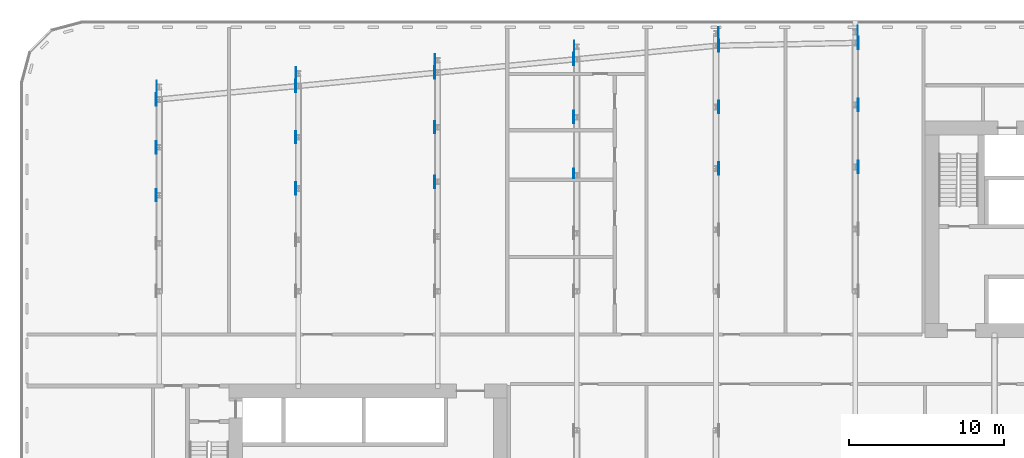
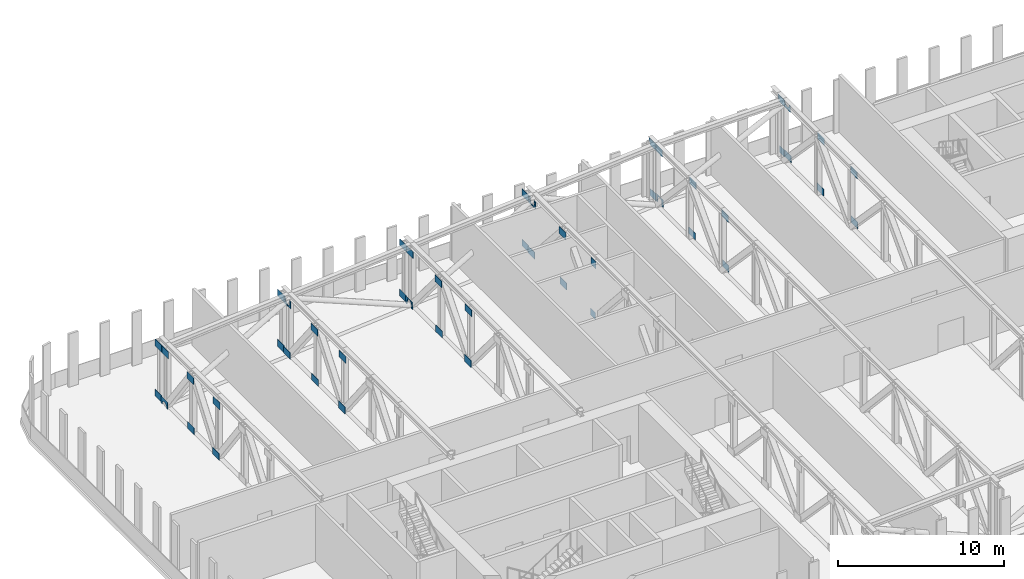
# One storey, part 14 of 22: 48 discrete accessories.
"""IFC4 building model written with IfcOpenShell, lengths in metres."""

import ifcopenshell
import ifcopenshell.guid

model = None  # the IFC model being written
_history = None  # IfcOwnerHistory: only IFC2X3 demands one
_inside = {}  # id of a spatial element -> (the spatial element, [elements in it])
_under = {}  # id of a project, library or spatial element -> (it, [spatial elements below it])
_declared = {}  # id of a project -> (the project, [libraries it declares])
_typed = {}  # id of a type object -> (the type object, [elements of that type])
_made_of = {}  # id of a material, layer set ... -> (it, [elements and type objects made of it])


def new_model(schema):
    """Start an empty IFC model of exactly this schema.

    Asked for "IFC4X3", IfcOpenShell would pick the latest addendum, in which some entities
    have other attributes; the version numbers below select the first issue.
    IFC2X3 requires an IfcOwnerHistory on every rooted entity: one is made here for all.
    """
    global model, _history
    if schema == "IFC4X3":
        model = ifcopenshell.file(schema_version=(4, 3, 0, 0))
    else:
        model = ifcopenshell.file(schema=schema)
    _inside.clear()
    _under.clear()
    _declared.clear()
    _typed.clear()
    _made_of.clear()
    _history = None
    if model.schema == "IFC2X3":
        org = make("IfcOrganization", Name="unknown")
        user = make(
            "IfcPersonAndOrganization",
            ThePerson=make("IfcPerson", FamilyName="unknown"),
            TheOrganization=org,
        )
        app = make(
            "IfcApplication",
            ApplicationDeveloper=org,
            Version="unknown",
            ApplicationFullName="unknown",
            ApplicationIdentifier="unknown",
        )
        _history = make(
            "IfcOwnerHistory",
            OwningUser=user,
            OwningApplication=app,
            ChangeAction="ADDED",
            CreationDate=0,
        )
    return model


def make(cls, **values):
    """One entity of the class cls with the attributes given. An attribute that is None is left unset."""
    return model.create_entity(
        cls, **{name: value for name, value in values.items() if value is not None}
    )


def rooted(cls, **values):
    """An entity with a GlobalId (a new one), such as an element, a storey or a relation."""
    return make(cls, GlobalId=ifcopenshell.guid.new(), OwnerHistory=_history, **values)


def si_unit(unit_type, name, prefix=None):
    """IfcSIUnit, for example si_unit("LENGTHUNIT", "METRE", prefix="MILLI")."""
    return make("IfcSIUnit", UnitType=unit_type, Prefix=prefix, Name=name)


def assignment(units):
    """IfcUnitAssignment: the units of a project."""
    return None if units is None else make("IfcUnitAssignment", Units=units)


def point(xyz):
    """IfcCartesianPoint."""
    return None if xyz is None else make("IfcCartesianPoint", Coordinates=xyz)


def direction(xyz):
    """IfcDirection."""
    return None if xyz is None else make("IfcDirection", DirectionRatios=xyz)


def frame(location, z_axis=None, x_axis=None):
    """IfcAxis2Placement3D, a coordinate frame: its origin and axes. An axis left out is left unset."""
    return make(
        "IfcAxis2Placement3D",
        Location=point(location),
        Axis=direction(z_axis),
        RefDirection=direction(x_axis),
    )


def origin():
    """The frame at (0, 0, 0) with its axes left unset."""
    return frame((0.0, 0.0, 0.0))


def place(relative_to, where):
    """IfcLocalPlacement: puts the frame where relative to a parent placement (None: the world)."""
    return make(
        "IfcLocalPlacement", PlacementRelTo=relative_to, RelativePlacement=where
    )


def context(
    kind, dimensions, precision=None, world=None, true_north=None, identifier=None
):
    """IfcGeometricRepresentationContext, for example the 3D "Model" context."""
    return make(
        "IfcGeometricRepresentationContext",
        ContextIdentifier=identifier,
        ContextType=kind,
        CoordinateSpaceDimension=dimensions,
        Precision=precision,
        WorldCoordinateSystem=world,
        TrueNorth=true_north,
    )


def subcontext(parent, identifier, kind, view, scale=None):
    """IfcGeometricRepresentationSubContext, for example "Body" below "Model"."""
    return make(
        "IfcGeometricRepresentationSubContext",
        ContextIdentifier=identifier,
        ContextType=kind,
        ParentContext=parent,
        TargetScale=scale,
        TargetView=view,
    )


def project(units=None, contexts=None):
    """IfcProject with its units and contexts."""
    return rooted(
        "IfcProject",
        Name="project",
        RepresentationContexts=contexts,
        UnitsInContext=assignment(units),
    )


def spatial(cls, under=None, at=None, **own):
    """A site, building, storey or space (cls), placed at a placement, below another one or the project."""
    s = rooted(cls, ObjectPlacement=at, **own)
    if under is not None:
        _under.setdefault(under.id(), (under, []))[1].append(s)
    return s


def polyline(points):
    """IfcPolyline through the points."""
    return make("IfcPolyline", Points=[point(p) for p in points])


def outline(outer, holes=None, kind="AREA"):
    """IfcArbitraryClosedProfileDef: a profile drawn as a closed curve; with holes, ...WithVoids."""
    if holes is None:
        return make("IfcArbitraryClosedProfileDef", ProfileType=kind, OuterCurve=outer)
    return make(
        "IfcArbitraryProfileDefWithVoids",
        ProfileType=kind,
        OuterCurve=outer,
        InnerCurves=holes,
    )


def extrude(swept, where, along, depth):
    """IfcExtrudedAreaSolid: the profile swept, set in the frame where, extruded along a direction by depth."""
    return make(
        "IfcExtrudedAreaSolid",
        SweptArea=swept,
        Position=where,
        ExtrudedDirection=direction(along),
        Depth=depth,
    )


def shape(context_of_items, identifier, shape_type, items):
    """IfcShapeRepresentation: the items that make up one representation, for example the "Body"."""
    return make(
        "IfcShapeRepresentation",
        ContextOfItems=context_of_items,
        RepresentationIdentifier=identifier,
        RepresentationType=shape_type,
        Items=items,
    )


def material(Name=None, Category=None):
    """IfcMaterial."""
    return make("IfcMaterial", Name=Name, Category=Category)


def layer(
    of_material, thickness, ventilated=None, Name=None, Category=None, Priority=None
):
    """IfcMaterialLayer: one layer of a wall or slab, of a material (None: an air gap)."""
    return make(
        "IfcMaterialLayer",
        Material=of_material,
        LayerThickness=thickness,
        IsVentilated=ventilated,
        Name=Name,
        Category=Category,
        Priority=Priority,
    )


def layer_set(layers, Name=None):
    """IfcMaterialLayerSet."""
    return make("IfcMaterialLayerSet", MaterialLayers=layers, LayerSetName=Name)


def made_of(thing, what):
    """Note that an element or type object is made of a material, layer set ...; save() writes the relation."""
    if what is not None:
        _made_of.setdefault(what.id(), (what, []))[1].append(thing)
    return thing


def type_object(cls, material=None, **own):
    """A type object (cls), such as IfcWallType, which elements share."""
    return made_of(rooted(cls, **own), material)


def element(
    cls,
    number,
    at=None,
    inside=None,
    cuts=None,
    type_object=None,
    material=None,
    context=None,
    identifier="Body",
    shape_type=None,
    held_by="IfcProductDefinitionShape",
    body=None,
    shapes=None,
    **own,
):
    """One element of the class cls, such as IfcWall. Its Tag is "e" and its number.

    at: its placement. inside: the storey or other place that contains it. cuts: it is an
    opening in that element (IfcRelVoidsElement). A single representation is given by context,
    identifier, shape_type and body (its items); several are given by shapes. held_by: the class
    of the entity that holds the representations. save() writes the other relations.
    """
    e = rooted(cls, Tag="e%d" % number, ObjectPlacement=at, **own)
    if body is not None:
        shapes = [shape(context, identifier, shape_type, body)]
    if shapes is not None:
        e.Representation = make(held_by, Representations=shapes)
    if inside is not None:
        _inside.setdefault(inside.id(), (inside, []))[1].append(e)
    if cuts is not None:
        rooted(
            "IfcRelVoidsElement", RelatingBuildingElement=cuts, RelatedOpeningElement=e
        )
    if type_object is not None:
        _typed.setdefault(type_object.id(), (type_object, []))[1].append(e)
    return made_of(e, material)


def aggregate(whole, parts):
    """IfcRelAggregates: a whole, such as a stair, and the parts it consists of."""
    return rooted("IfcRelAggregates", RelatingObject=whole, RelatedObjects=parts)


def save(model, path):
    """Write the relations noted so far, then the file.

    IfcRelAggregates (storeys below a building ...), IfcRelContainedInSpatialStructure (elements
    in a storey), IfcRelDefinesByType, IfcRelAssociatesMaterial and IfcRelDeclares: one each for
    every whole, place, type object, material and project.
    """
    for whole, parts in _under.values():
        aggregate(whole, parts)
    for where, things in _inside.values():
        rooted(
            "IfcRelContainedInSpatialStructure",
            RelatedElements=things,
            RelatingStructure=where,
        )
    for kind, things in _typed.values():
        rooted("IfcRelDefinesByType", RelatedObjects=things, RelatingType=kind)
    for what, things in _made_of.values():
        rooted("IfcRelAssociatesMaterial", RelatedObjects=things, RelatingMaterial=what)
    for by, libraries in _declared.values():
        rooted("IfcRelDeclares", RelatingContext=by, RelatedDefinitions=libraries)
    model.write(path)


model = new_model("IFC4")

# Units and contexts
model_context = context("Model", 3, precision=1e-05, world=origin(), true_north=direction((0.0, 1.0)))
body_context = subcontext(model_context, "Body", "Model", "MODEL_VIEW")
ifc_project = project(units=[si_unit("LENGTHUNIT", "METRE"), si_unit("AREAUNIT", "SQUARE_METRE"), si_unit("VOLUMEUNIT", "CUBIC_METRE"), si_unit("PLANEANGLEUNIT", "RADIAN"), si_unit("MASSUNIT", "GRAM", prefix="KILO")], contexts=[model_context])

# Site, building, storey
site_placement = place(None, origin())
site = spatial("IfcSite", under=ifc_project, at=site_placement, CompositionType="ELEMENT")
building_placement = place(site_placement, origin())
building = spatial("IfcBuilding", under=site, at=building_placement, Name="Kajstack Hotel Tower", CompositionType="ELEMENT")
storey_placement = place(building_placement, frame((0.0, 0.0, 99.60009765625)))
storey = spatial("IfcBuildingStorey", under=building, at=storey_placement, Name="L21", CompositionType="ELEMENT", Elevation=99.60009765625)

# Discrete accessories
ifc_material = material(Name="Steel S355J2", Category="steel")
ifc_layer = layer(ifc_material, 0.02001953125)
ifc_layer_set = layer_set([ifc_layer], Name="GUSSET PLATE")
discrete_accessory_type = type_object("IfcDiscreteAccessoryType", Name="GUSSET PLATE", PredefinedType="BRACKET", material=ifc_layer_set)
for number, where, z_axis, x_axis, name in (
    (1, (-36.219970703125, 10.697998046875, 0.0), (1.0, 0.0, 0.0), (0.0, 1.0, 0.0), "Gusset plate L21-155"),
    (2, (-36.175048828125, 10.697998046875, 3.699951171875), (1.0, 0.0, 0.0), (0.0, 1.0, 0.0), "Gusset plate L21-156"),
    (3, (-36.175048828125, 13.796875, 0.0), (1.0, 0.0, 0.0), (0.0, 1.0, 0.0), "Gusset plate L21-157"),
    (4, (-36.219970703125, 13.796875, 3.699951171875), (1.0, 0.0, 0.0), (0.0, 1.0, 0.0), "Gusset plate L21-158"),
):
    element("IfcDiscreteAccessory", number, at=place(storey_placement, frame(where, z_axis=z_axis, x_axis=x_axis)), inside=storey, type_object=discrete_accessory_type, Name=name, PredefinedType="BRACKET", context=body_context, shape_type="SweptSolid", body=[
        extrude(outline(polyline([(-0.39990234375, 0.0), (0.39990234375, 0.0), (0.39990234375, 0.5), (-0.39990234375, 0.5), (-0.39990234375, 0.0)])), origin(), (0.0, 0.0, 1.0), 0.02001953125),
    ])
discrete_accessory_1_placement = place(storey_placement, frame((-36.219970703125, 16.895751953125, 0.0), z_axis=(1.0, 0.0, 0.0), x_axis=(0.0, 1.0, 0.0)))
element("IfcDiscreteAccessory", 5, at=discrete_accessory_1_placement, inside=storey, type_object=discrete_accessory_type, Name="Gusset plate L21-159", PredefinedType="BRACKET", context=body_context, shape_type="SweptSolid", body=[
    extrude(outline(polyline([(-0.39990234375, 0.0), (-0.266845703125, 0.0), (-0.249755859375, 0.083984375), (-0.2431640625, 0.108642578125), (-0.234375, 0.1328125), (-0.223388671875, 0.156005859375), (-0.2099609375, 0.177978515625), (-0.194580078125, 0.198486328125), (-0.17724609375, 0.21728515625), (-0.158203125, 0.234375), (-0.137451171875, 0.24951171875), (-0.115234375, 0.2626953125), (-0.092041015625, 0.2734375), (-0.06787109375, 0.281982421875), (-0.04296875, 0.2880859375), (-0.017578125, 0.29150390625), (0.008056640625, 0.292724609375), (0.03369140625, 0.291259765625), (0.05908203125, 0.287353515625), (0.083984375, 0.281005859375), (0.108154296875, 0.27197265625), (0.131103515625, 0.260986328125), (0.153076171875, 0.24755859375), (0.173583984375, 0.232177734375), (0.192626953125, 0.21484375), (0.209716796875, 0.19580078125), (0.224853515625, 0.175048828125), (0.23779296875, 0.15283203125), (0.24853515625, 0.129638671875), (0.257080078125, 0.10546875), (0.26318359375, 0.08056640625), (0.266845703125, 0.05517578125), (0.267822265625, 0.029541015625), (0.265869140625, 0.0), (0.39990234375, 0.0), (0.39990234375, 0.5), (-0.39990234375, 0.5), (-0.39990234375, 0.0)])), origin(), (0.0, 0.0, 1.0), 0.02001953125),
])
for number, where, z_axis, x_axis, name in (
    (6, (-36.175048828125, 16.895751953125, 3.699951171875), (1.0, 0.0, 0.0), (0.0, 1.0, 0.0), "Gusset plate L21-160"),
    (7, (-36.175048828125, 17.69580078125, 0.0), (1.0, 0.0, 0.0), (0.0, 1.0, 0.0), "Gusset plate L21-161"),
    (8, (-36.175048828125, 17.69580078125, 3.699951171875), (1.0, 0.0, 0.0), (0.0, 1.0, 0.0), "Gusset plate L21-162"),
    (9, (-27.219970703125, 11.131103515625, 0.0), (1.0, 0.0, 0.0), (0.0, 1.0, 0.0), "Gusset plate L21-167"),
    (10, (-27.175048828125, 11.131103515625, 3.699951171875), (1.0, 0.0, 0.0), (0.0, 1.0, 0.0), "Gusset plate L21-168"),
    (11, (-27.175048828125, 14.44677734375, 0.0), (1.0, 0.0, 0.0), (0.0, 1.0, 0.0), "Gusset plate L21-169"),
    (12, (-27.219970703125, 14.44677734375, 3.699951171875), (1.0, 0.0, 0.0), (0.0, 1.0, 0.0), "Gusset plate L21-170"),
    (13, (-27.219970703125, 17.762451171875, 0.0), (1.0, 0.0, 0.0), (0.0, 1.0, 0.0), "Gusset plate L21-171"),
):
    element("IfcDiscreteAccessory", number, at=place(storey_placement, frame(where, z_axis=z_axis, x_axis=x_axis)), inside=storey, type_object=discrete_accessory_type, Name=name, PredefinedType="BRACKET", context=body_context, shape_type="SweptSolid", body=[
        extrude(outline(polyline([(-0.39990234375, 0.0), (0.39990234375, 0.0), (0.39990234375, 0.5), (-0.39990234375, 0.5), (-0.39990234375, 0.0)])), origin(), (0.0, 0.0, 1.0), 0.02001953125),
    ])
discrete_accessory_2_placement = place(storey_placement, frame((-27.175048828125, 17.762451171875, 3.699951171875), z_axis=(1.0, 0.0, 0.0), x_axis=(0.0, 1.0, 0.0)))
element("IfcDiscreteAccessory", 14, at=discrete_accessory_2_placement, inside=storey, type_object=discrete_accessory_type, Name="Gusset plate L21-172", PredefinedType="BRACKET", context=body_context, shape_type="SweptSolid", body=[
    extrude(outline(polyline([(0.39990234375, 0.5), (0.2685546875, 0.5), (0.272216796875, 0.45947265625), (0.271240234375, 0.433837890625), (0.267578125, 0.408447265625), (0.261474609375, 0.383544921875), (0.2529296875, 0.359375), (0.2421875, 0.3359375), (0.2255859375, 0.30908203125), (0.207275390625, 0.225830078125), (0.1982421875, 0.20166015625), (0.187255859375, 0.1787109375), (0.173828125, 0.15673828125), (0.158447265625, 0.13623046875), (0.14111328125, 0.1171875), (0.1220703125, 0.10009765625), (0.101318359375, 0.0849609375), (0.0791015625, 0.072021484375), (0.055908203125, 0.061279296875), (0.03173828125, 0.052734375), (0.0068359375, 0.046630859375), (-0.0185546875, 0.04296875), (-0.044189453125, 0.0419921875), (-0.06982421875, 0.04345703125), (-0.09521484375, 0.04736328125), (-0.1201171875, 0.0537109375), (-0.144287109375, 0.0625), (-0.167236328125, 0.07373046875), (-0.189208984375, 0.0869140625), (-0.209716796875, 0.102294921875), (-0.228759765625, 0.11962890625), (-0.245849609375, 0.138916015625), (-0.260986328125, 0.15966796875), (-0.27392578125, 0.181640625), (-0.28466796875, 0.204833984375), (-0.293212890625, 0.229248046875), (-0.29931640625, 0.254150390625), (-0.302978515625, 0.279541015625), (-0.303955078125, 0.30517578125), (-0.302490234375, 0.330810546875), (-0.298583984375, 0.356201171875), (-0.26904296875, 0.5), (-0.39990234375, 0.5), (-0.39990234375, 0.0), (0.39990234375, 0.0), (0.39990234375, 0.5)])), origin(), (0.0, 0.0, 1.0), 0.02001953125),
])
for number, where, z_axis, x_axis, name in (
    (15, (-27.175048828125, 18.5625, 0.0), (1.0, 0.0, 0.0), (0.0, 1.0, 0.0), "Gusset plate L21-173"),
    (16, (-27.175048828125, 18.5625, 3.699951171875), (1.0, 0.0, 0.0), (0.0, 1.0, 0.0), "Gusset plate L21-174"),
    (17, (-18.219970703125, 11.564453125, 0.0), (1.0, 0.0, 0.0), (0.0, 1.0, 0.0), "Gusset plate L21-179"),
    (18, (-18.175048828125, 11.564453125, 3.699951171875), (1.0, 0.0, 0.0), (0.0, 1.0, 0.0), "Gusset plate L21-180"),
    (19, (-18.175048828125, 15.0966796875, 0.0), (1.0, 0.0, 0.0), (0.0, 1.0, 0.0), "Gusset plate L21-181"),
    (20, (-18.219970703125, 15.0966796875, 3.699951171875), (1.0, 0.0, 0.0), (0.0, 1.0, 0.0), "Gusset plate L21-182"),
):
    element("IfcDiscreteAccessory", number, at=place(storey_placement, frame(where, z_axis=z_axis, x_axis=x_axis)), inside=storey, type_object=discrete_accessory_type, Name=name, PredefinedType="BRACKET", context=body_context, shape_type="SweptSolid", body=[
        extrude(outline(polyline([(-0.39990234375, 0.0), (0.39990234375, 0.0), (0.39990234375, 0.5), (-0.39990234375, 0.5), (-0.39990234375, 0.0)])), origin(), (0.0, 0.0, 1.0), 0.02001953125),
    ])
discrete_accessory_3_placement = place(storey_placement, frame((-18.219970703125, 18.62890625, 0.0), z_axis=(1.0, 0.0, 0.0), x_axis=(0.0, 1.0, 0.0)))
element("IfcDiscreteAccessory", 21, at=discrete_accessory_3_placement, inside=storey, type_object=discrete_accessory_type, Name="Gusset plate L21-183", PredefinedType="BRACKET", context=body_context, shape_type="SweptSolid", body=[
    extrude(outline(polyline([(-0.39990234375, 0.0), (-0.266845703125, 0.0), (-0.302978515625, 0.175048828125), (-0.306884765625, 0.2001953125), (-0.308349609375, 0.225830078125), (-0.30712890625, 0.25146484375), (-0.3037109375, 0.27685546875), (-0.297607421875, 0.302001953125), (-0.2890625, 0.326171875), (-0.2783203125, 0.349365234375), (-0.26513671875, 0.37158203125), (-0.25, 0.39208984375), (-0.23291015625, 0.411376953125), (-0.214111328125, 0.4287109375), (-0.193603515625, 0.444091796875), (-0.171630859375, 0.45751953125), (-0.1484375, 0.468505859375), (-0.12451171875, 0.477294921875), (-0.099609375, 0.483642578125), (-0.07421875, 0.48779296875), (-0.048583984375, 0.489013671875), (-0.02294921875, 0.488037109375), (0.00244140625, 0.484375), (0.02734375, 0.478271484375), (0.051513671875, 0.469970703125), (0.074951171875, 0.458984375), (0.096923828125, 0.446044921875), (0.11767578125, 0.430908203125), (0.13671875, 0.413818359375), (0.154052734375, 0.394775390625), (0.169677734375, 0.374267578125), (0.182861328125, 0.3525390625), (0.194091796875, 0.329345703125), (0.202880859375, 0.30517578125), (0.209228515625, 0.2802734375), (0.234130859375, 0.158935546875), (0.24853515625, 0.129638671875), (0.257080078125, 0.10546875), (0.26318359375, 0.08056640625), (0.266845703125, 0.05517578125), (0.267822265625, 0.029541015625), (0.265869140625, 0.0), (0.39990234375, 0.0), (0.39990234375, 0.5), (-0.39990234375, 0.5), (-0.39990234375, 0.0)])), origin(), (0.0, 0.0, 1.0), 0.02001953125),
])
for number, where, z_axis, x_axis, name in (
    (22, (-18.175048828125, 18.62890625, 3.699951171875), (1.0, 0.0, 0.0), (0.0, 1.0, 0.0), "Gusset plate L21-184"),
    (23, (-18.175048828125, 19.428955078125, 0.0), (1.0, 0.0, 0.0), (0.0, 1.0, 0.0), "Gusset plate L21-185"),
    (24, (-18.175048828125, 19.428955078125, 3.699951171875), (1.0, 0.0, 0.0), (0.0, 1.0, 0.0), "Gusset plate L21-186"),
):
    element("IfcDiscreteAccessory", number, at=place(storey_placement, frame(where, z_axis=z_axis, x_axis=x_axis)), inside=storey, type_object=discrete_accessory_type, Name=name, PredefinedType="BRACKET", context=body_context, shape_type="SweptSolid", body=[
        extrude(outline(polyline([(-0.39990234375, 0.0), (0.39990234375, 0.0), (0.39990234375, 0.5), (-0.39990234375, 0.5), (-0.39990234375, 0.0)])), origin(), (0.0, 0.0, 1.0), 0.02001953125),
    ])
for number, where, z_axis, x_axis, name in (
    (25, (-9.219970703125, 11.997802734375, 0.0), (1.0, 0.0, 0.0), (0.0, 1.0, 0.0), "Gusset plate L21-201"),
    (26, (-9.175048828125, 11.997802734375, 3.699951171875), (1.0, 0.0, 0.0), (0.0, 1.0, 0.0), "Gusset plate L21-202"),
):
    element("IfcDiscreteAccessory", number, at=place(storey_placement, frame(where, z_axis=z_axis, x_axis=x_axis)), inside=storey, type_object=discrete_accessory_type, Name=name, PredefinedType="BRACKET", context=body_context, shape_type="SweptSolid", body=[
        extrude(outline(polyline([(0.39990234375, 0.5), (-0.19287109375, 0.5), (-0.19287109375, 0.0), (0.39990234375, 0.0), (0.39990234375, 0.5)])), origin(), (0.0, 0.0, 1.0), 0.02001953125),
    ])
for number, where, z_axis, x_axis, name in (
    (27, (-9.175048828125, 15.74658203125, 0.0), (1.0, 0.0, 0.0), (0.0, 1.0, 0.0), "Gusset plate L21-203"),
    (28, (-9.219970703125, 15.74658203125, 3.699951171875), (1.0, 0.0, 0.0), (0.0, 1.0, 0.0), "Gusset plate L21-204"),
    (29, (-9.219970703125, 19.49560546875, 0.0), (1.0, 0.0, 0.0), (0.0, 1.0, 0.0), "Gusset plate L21-205"),
):
    element("IfcDiscreteAccessory", number, at=place(storey_placement, frame(where, z_axis=z_axis, x_axis=x_axis)), inside=storey, type_object=discrete_accessory_type, Name=name, PredefinedType="BRACKET", context=body_context, shape_type="SweptSolid", body=[
        extrude(outline(polyline([(-0.39990234375, 0.0), (0.39990234375, 0.0), (0.39990234375, 0.5), (-0.39990234375, 0.5), (-0.39990234375, 0.0)])), origin(), (0.0, 0.0, 1.0), 0.02001953125),
    ])
discrete_accessory_4_placement = place(storey_placement, frame((-9.175048828125, 19.49560546875, 3.699951171875), z_axis=(1.0, 0.0, 0.0), x_axis=(0.0, 1.0, 0.0)))
element("IfcDiscreteAccessory", 30, at=discrete_accessory_4_placement, inside=storey, type_object=discrete_accessory_type, Name="Gusset plate L21-206", PredefinedType="BRACKET", context=body_context, shape_type="SweptSolid", body=[
    extrude(outline(polyline([(0.39990234375, 0.5), (0.2685546875, 0.5), (0.272216796875, 0.45947265625), (0.271240234375, 0.433837890625), (0.267578125, 0.408447265625), (0.261474609375, 0.383544921875), (0.2529296875, 0.359375), (0.2421875, 0.3359375), (0.2255859375, 0.30908203125), (0.207275390625, 0.225830078125), (0.1982421875, 0.20166015625), (0.187255859375, 0.1787109375), (0.173828125, 0.15673828125), (0.158447265625, 0.13623046875), (0.14111328125, 0.1171875), (0.1220703125, 0.10009765625), (0.101318359375, 0.0849609375), (0.0791015625, 0.072021484375), (0.055908203125, 0.061279296875), (0.03173828125, 0.052734375), (0.0068359375, 0.046630859375), (-0.0185546875, 0.04296875), (-0.044189453125, 0.0419921875), (-0.06982421875, 0.04345703125), (-0.09521484375, 0.04736328125), (-0.1201171875, 0.0537109375), (-0.144287109375, 0.0625), (-0.167236328125, 0.07373046875), (-0.189208984375, 0.0869140625), (-0.209716796875, 0.102294921875), (-0.228759765625, 0.11962890625), (-0.245849609375, 0.138916015625), (-0.260986328125, 0.15966796875), (-0.27392578125, 0.181640625), (-0.28466796875, 0.204833984375), (-0.293212890625, 0.229248046875), (-0.29931640625, 0.254150390625), (-0.302978515625, 0.279541015625), (-0.303955078125, 0.30517578125), (-0.302490234375, 0.330810546875), (-0.298583984375, 0.356201171875), (-0.26904296875, 0.5), (-0.39990234375, 0.5), (-0.39990234375, 0.0), (0.39990234375, 0.0), (0.39990234375, 0.5)])), origin(), (0.0, 0.0, 1.0), 0.02001953125),
])
for number, where, z_axis, x_axis, name in (
    (31, (-9.175048828125, 20.295654296875, 0.0), (1.0, 0.0, 0.0), (0.0, 1.0, 0.0), "Gusset plate L21-207"),
    (32, (-9.175048828125, 20.295654296875, 3.699951171875), (1.0, 0.0, 0.0), (0.0, 1.0, 0.0), "Gusset plate L21-208"),
    (33, (0.199951171875, 12.43115234375, 0.0), (1.0, 0.0, 0.0), (0.0, 1.0, 0.0), "Gusset plate L21-225"),
    (34, (0.155029296875, 12.43115234375, 3.699951171875), (1.0, 0.0, 0.0), (0.0, 1.0, 0.0), "Gusset plate L21-226"),
    (35, (0.155029296875, 16.396728515625, 0.0), (1.0, 0.0, 0.0), (0.0, 1.0, 0.0), "Gusset plate L21-227"),
    (36, (0.199951171875, 16.396728515625, 3.699951171875), (1.0, 0.0, 0.0), (0.0, 1.0, 0.0), "Gusset plate L21-228"),
):
    element("IfcDiscreteAccessory", number, at=place(storey_placement, frame(where, z_axis=z_axis, x_axis=x_axis)), inside=storey, type_object=discrete_accessory_type, Name=name, PredefinedType="BRACKET", context=body_context, shape_type="SweptSolid", body=[
        extrude(outline(polyline([(-0.39990234375, 0.0), (0.39990234375, 0.0), (0.39990234375, 0.5), (-0.39990234375, 0.5), (-0.39990234375, 0.0)])), origin(), (0.0, 0.0, 1.0), 0.02001953125),
    ])
discrete_accessory_5_placement = place(storey_placement, frame((0.199951171875, 20.3623046875, 0.0), z_axis=(1.0, 0.0, 0.0), x_axis=(0.0, 1.0, 0.0)))
element("IfcDiscreteAccessory", 37, at=discrete_accessory_5_placement, inside=storey, type_object=discrete_accessory_type, Name="Gusset plate L21-229", PredefinedType="BRACKET", context=body_context, shape_type="SweptSolid", body=[
    extrude(outline(polyline([(-0.39990234375, 0.0), (-0.265869140625, 0.0), (-0.267822265625, 0.029541015625), (-0.266845703125, 0.05517578125), (-0.26318359375, 0.08056640625), (-0.257080078125, 0.105712890625), (-0.2509765625, 0.2392578125), (-0.24853515625, 0.264892578125), (-0.24365234375, 0.2900390625), (-0.236328125, 0.314697265625), (-0.226806640625, 0.33837890625), (-0.214599609375, 0.361083984375), (-0.200439453125, 0.382568359375), (-0.184326171875, 0.40234375), (-0.166259765625, 0.420654296875), (-0.146484375, 0.43701171875), (-0.125244140625, 0.451416015625), (-0.102783203125, 0.463623046875), (-0.0791015625, 0.473388671875), (-0.054443359375, 0.48095703125), (-0.029296875, 0.486083984375), (-0.00390625, 0.48876953125), (0.021728515625, 0.48876953125), (0.04736328125, 0.486572265625), (0.072509765625, 0.481689453125), (0.09716796875, 0.47412109375), (0.120849609375, 0.464599609375), (0.1435546875, 0.45263671875), (0.1650390625, 0.4384765625), (0.184814453125, 0.422119140625), (0.203125, 0.404052734375), (0.219482421875, 0.38427734375), (0.23388671875, 0.363037109375), (0.24609375, 0.340576171875), (0.255859375, 0.31689453125), (0.263427734375, 0.292236328125), (0.2685546875, 0.26708984375), (0.271240234375, 0.24169921875), (0.271240234375, 0.216064453125), (0.2626953125, 0.020751953125), (0.266845703125, 0.0), (0.39990234375, 0.0), (0.39990234375, 0.5), (-0.39990234375, 0.5), (-0.39990234375, 0.0)])), origin(), (0.0, 0.0, 1.0), 0.02001953125),
])
discrete_accessory_6_placement = place(storey_placement, frame((0.155029296875, 20.3623046875, 3.699951171875), z_axis=(1.0, 0.0, 0.0), x_axis=(0.0, 1.0, 0.0)))
element("IfcDiscreteAccessory", 38, at=discrete_accessory_6_placement, inside=storey, type_object=discrete_accessory_type, Name="Gusset plate L21-230", PredefinedType="BRACKET", context=body_context, shape_type="SweptSolid", body=[
    extrude(outline(polyline([(-0.39990234375, 0.0), (0.39990234375, 0.0), (0.39990234375, 0.5), (-0.39990234375, 0.5), (-0.39990234375, 0.0)])), origin(), (0.0, 0.0, 1.0), 0.02001953125),
])
discrete_accessory_7_placement = place(storey_placement, frame((0.155029296875, 21.162109375, 0.0), z_axis=(1.0, 0.0, 0.0), x_axis=(0.0, 1.0, 0.0)))
element("IfcDiscreteAccessory", 39, at=discrete_accessory_7_placement, inside=storey, type_object=discrete_accessory_type, Name="Gusset plate L21-231", PredefinedType="BRACKET", context=body_context, shape_type="SweptSolid", body=[
    extrude(outline(polyline([(-0.39990234375, 0.0), (0.307861328125, 0.0), (0.307861328125, 0.5), (-0.39990234375, 0.5), (-0.39990234375, 0.0)])), origin(), (0.0, 0.0, 1.0), 0.02001953125),
])
discrete_accessory_8_placement = place(storey_placement, frame((0.155029296875, 21.162109375, 3.699951171875), z_axis=(1.0, 0.0, 0.0), x_axis=(0.0, 1.0, 0.0)))
element("IfcDiscreteAccessory", 40, at=discrete_accessory_8_placement, inside=storey, type_object=discrete_accessory_type, Name="Gusset plate L21-232", PredefinedType="BRACKET", context=body_context, shape_type="SweptSolid", body=[
    extrude(outline(polyline([(-0.39990234375, 0.0), (0.307861328125, 0.0), (0.307861328125, 0.205078125), (0.39990234375, 0.205078125), (0.39990234375, 0.5), (-0.39990234375, 0.5), (-0.39990234375, 0.0)])), origin(), (0.0, 0.0, 1.0), 0.02001953125),
])
for number, where, z_axis, x_axis, name in (
    (41, (9.199951171875, 12.52490234375, 0.0), (1.0, 0.0, 0.0), (0.0, 1.0, 0.0), "Gusset plate L21-249"),
    (42, (9.155029296875, 12.52490234375, 3.699951171875), (1.0, 0.0, 0.0), (0.0, 1.0, 0.0), "Gusset plate L21-250"),
    (43, (9.155029296875, 16.53759765625, 0.0), (1.0, 0.0, 0.0), (0.0, 1.0, 0.0), "Gusset plate L21-251"),
    (44, (9.199951171875, 16.53759765625, 3.699951171875), (1.0, 0.0, 0.0), (0.0, 1.0, 0.0), "Gusset plate L21-252"),
    (45, (9.199951171875, 20.550048828125, 0.0), (1.0, 0.0, 0.0), (0.0, 1.0, 0.0), "Gusset plate L21-253"),
):
    element("IfcDiscreteAccessory", number, at=place(storey_placement, frame(where, z_axis=z_axis, x_axis=x_axis)), inside=storey, type_object=discrete_accessory_type, Name=name, PredefinedType="BRACKET", context=body_context, shape_type="SweptSolid", body=[
        extrude(outline(polyline([(-0.39990234375, 0.0), (0.39990234375, 0.0), (0.39990234375, 0.5), (-0.39990234375, 0.5), (-0.39990234375, 0.0)])), origin(), (0.0, 0.0, 1.0), 0.02001953125),
    ])
discrete_accessory_9_placement = place(storey_placement, frame((9.155029296875, 20.550048828125, 3.699951171875), z_axis=(1.0, 0.0, 0.0), x_axis=(0.0, 1.0, 0.0)))
element("IfcDiscreteAccessory", 46, at=discrete_accessory_9_placement, inside=storey, type_object=discrete_accessory_type, Name="Gusset plate L21-254", PredefinedType="BRACKET", context=body_context, shape_type="SweptSolid", body=[
    extrude(outline(polyline([(0.39990234375, 0.5), (0.26123046875, 0.5), (0.256591796875, 0.420654296875), (0.25146484375, 0.395263671875), (0.244140625, 0.370849609375), (0.234619140625, 0.346923828125), (0.22265625, 0.324462890625), (0.20849609375, 0.302978515625), (0.192138671875, 0.282958984375), (0.174072265625, 0.264892578125), (0.154296875, 0.24853515625), (0.133056640625, 0.234130859375), (0.110595703125, 0.221923828125), (0.0869140625, 0.2119140625), (0.062255859375, 0.204345703125), (0.037109375, 0.19921875), (0.01171875, 0.19677734375), (-0.013916015625, 0.196533203125), (-0.03955078125, 0.198974609375), (-0.064697265625, 0.203857421875), (-0.08935546875, 0.211181640625), (-0.113037109375, 0.220947265625), (-0.1357421875, 0.23291015625), (-0.1572265625, 0.2470703125), (-0.177001953125, 0.26318359375), (-0.1953125, 0.28125), (-0.211669921875, 0.301025390625), (-0.22607421875, 0.322265625), (-0.23828125, 0.344970703125), (-0.248046875, 0.36865234375), (-0.255615234375, 0.39306640625), (-0.2607421875, 0.418212890625), (-0.263427734375, 0.44384765625), (-0.26220703125, 0.5), (-0.39990234375, 0.5), (-0.39990234375, 0.0), (0.39990234375, 0.0), (0.39990234375, 0.5)])), origin(), (0.0, 0.0, 1.0), 0.02001953125),
])
discrete_accessory_10_placement = place(storey_placement, frame((9.155029296875, 21.25, 0.0), z_axis=(1.0, 0.0, 0.0), x_axis=(0.0, 1.0, 0.0)))
element("IfcDiscreteAccessory", 47, at=discrete_accessory_10_placement, inside=storey, type_object=discrete_accessory_type, Name="Gusset plate L21-255", PredefinedType="BRACKET", context=body_context, shape_type="SweptSolid", body=[
    extrude(outline(polyline([(-0.39990234375, 0.0), (0.219970703125, 0.0), (0.219970703125, 0.5), (-0.39990234375, 0.5), (-0.39990234375, 0.0)])), origin(), (0.0, 0.0, 1.0), 0.02001953125),
])
discrete_accessory_11_placement = place(storey_placement, frame((9.155029296875, 21.25, 3.699951171875), z_axis=(1.0, 0.0, 0.0), x_axis=(0.0, 1.0, 0.0)))
element("IfcDiscreteAccessory", 48, at=discrete_accessory_11_placement, inside=storey, type_object=discrete_accessory_type, Name="Gusset plate L21-256", PredefinedType="BRACKET", context=body_context, shape_type="SweptSolid", body=[
    extrude(outline(polyline([(-0.39990234375, 0.0), (0.219970703125, 0.0), (0.219970703125, 0.205078125), (0.3798828125, 0.205078125), (0.3798828125, 0.0), (0.39990234375, 0.0), (0.39990234375, 0.5), (-0.39990234375, 0.5), (-0.39990234375, 0.0)])), origin(), (0.0, 0.0, 1.0), 0.02001953125),
])

save(model, "model.ifc")
